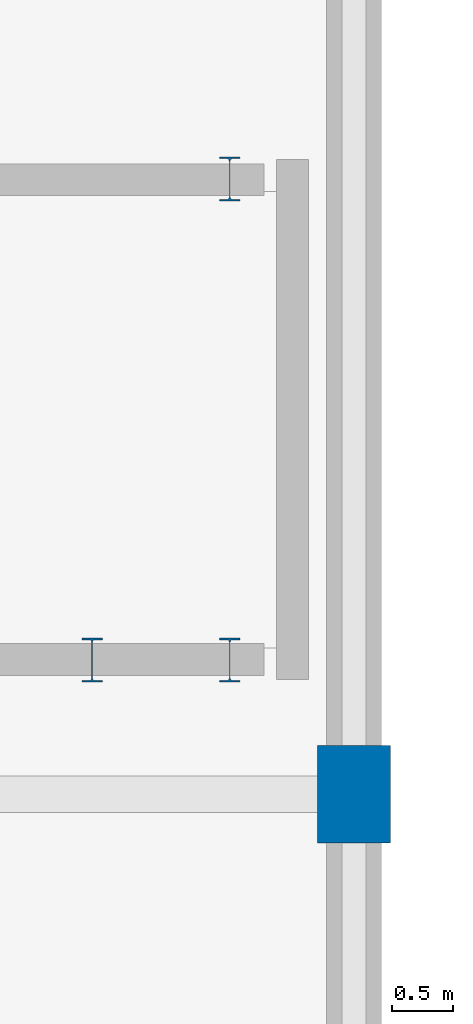
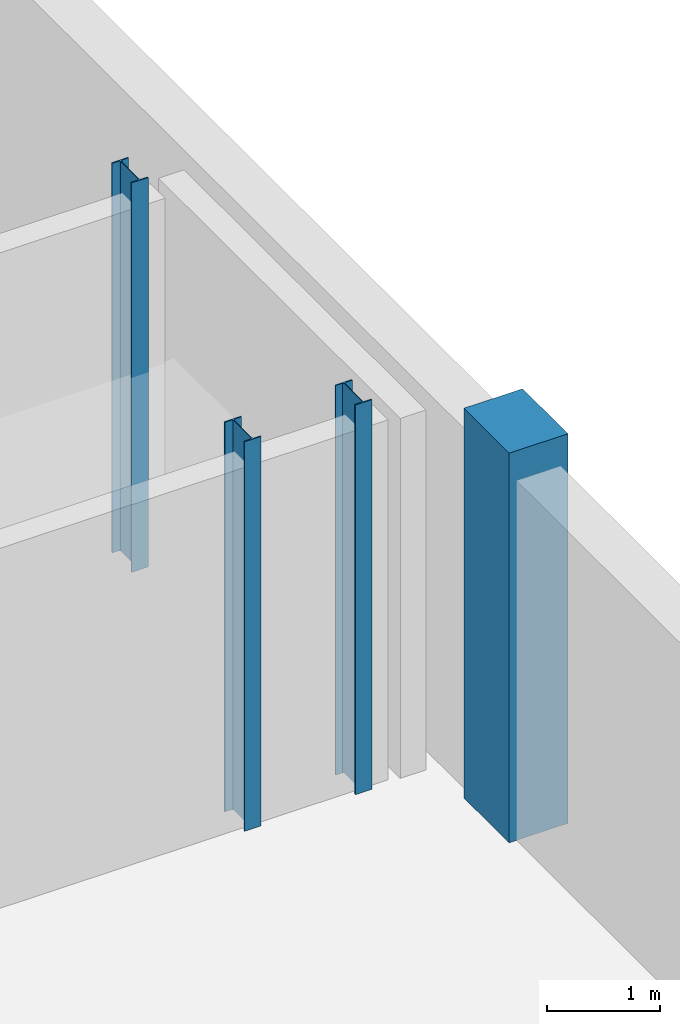
# One storey, part 15 of 47: 4 columns.
"""IFC4 building model written with IfcOpenShell, lengths in metres."""

from ifc_helpers import new_model, si_unit, direction, frame, origin, origin_2d, place, context, subcontext, project, spatial, rectangle, i_section, extrude, material, material_profile, profile_set, type_object, element, save


model = new_model("IFC4")

# Units and contexts
model_context = context("Model", 3, precision=1e-05, world=origin(), true_north=direction((0.0, 1.0)))
body_context = subcontext(model_context, "Body", "Model", "MODEL_VIEW")
ifc_project = project(units=[si_unit("LENGTHUNIT", "METRE"), si_unit("AREAUNIT", "SQUARE_METRE"), si_unit("VOLUMEUNIT", "CUBIC_METRE"), si_unit("PLANEANGLEUNIT", "RADIAN"), si_unit("MASSUNIT", "GRAM", prefix="KILO")], contexts=[model_context])

# Site, building, storey
site_placement = place(None, origin())
site = spatial("IfcSite", under=ifc_project, at=site_placement, CompositionType="ELEMENT")
building_placement = place(site_placement, origin())
building = spatial("IfcBuilding", under=site, at=building_placement, Name="Zevrakil Square Congress Hotel", CompositionType="ELEMENT")
storey_placement = place(building_placement, frame((0.0, 0.0, -4.199951171875)))
storey = spatial("IfcBuildingStorey", under=building, at=storey_placement, Name="B1", CompositionType="ELEMENT", Elevation=-4.199951171875)

# Columns
ifc_material_1 = material(Name="Steel S355", Category="steel")
ifc_material_profile_1 = material_profile(ifc_material_1, i_section(OverallWidth=0.169921875, OverallDepth=0.360107421875, WebThickness=0.008056640625, FlangeThickness=0.0126953125, FilletRadius=0.01806640625, at=origin_2d()), Name="IPE 360")
ifc_profile_set_1 = profile_set([ifc_material_profile_1], Name="Steel S355")
column_type_1 = type_object("IfcColumnType", Name="COL-PILASTER-SHS180", PredefinedType="PILASTER", material=ifc_profile_set_1)
for number, where, z_axis, x_axis, name in (
    (1, (115.449951171875, 85.10009765625, 0.0), (0.0, 0.0, 1.0), (1.0, 0.0, 0.0), "B1 ST06 stair shaft post 1"),
    (2, (116.580078125, 85.10009765625, 0.0), (0.0, 0.0, 1.0), (1.0, 0.0, 0.0), "B1 ST06 stair shaft post 2"),
    (3, (116.580078125, 89.050048828125, 0.0), (0.0, 0.0, 1.0), (1.0, 0.0, 0.0), "B1 ST06 stair shaft post 3"),
):
    element("IfcColumn", number, at=place(storey_placement, frame(where, z_axis=z_axis, x_axis=x_axis)), inside=storey, type_object=column_type_1, Name=name, PredefinedType="PILASTER", context=body_context, shape_type="SweptSolid", body=[
        extrude(i_section(OverallWidth=0.169921875, OverallDepth=0.360107421875, WebThickness=0.008056640625, FlangeThickness=0.0126953125, FilletRadius=0.01806640625, at=origin_2d()), origin(), (0.0, 0.0, 1.0), 4.199951171875),
    ])
ifc_material_2 = material(Name="Concrete C40/50", Category="concrete")
ifc_material_profile_2 = material_profile(ifc_material_2, rectangle(XDim=0.60009765625, YDim=0.800048828125, at=origin_2d()), Name="RC 600x800")
ifc_profile_set_2 = profile_set([ifc_material_profile_2], Name="Concrete C40/50")
column_type_2 = type_object("IfcColumnType", Name="COL-RC600x800", PredefinedType="COLUMN", material=ifc_profile_set_2)
column_placement = place(storey_placement, frame((117.60009765625, 84.0, 0.0), z_axis=(0.0, 0.0, 1.0), x_axis=(1.0, 0.0, 0.0)))
element("IfcColumn", 4, at=column_placement, inside=storey, type_object=column_type_2, Name="B1 column C-190", PredefinedType="COLUMN", context=body_context, shape_type="SweptSolid", body=[
    extrude(rectangle(XDim=0.60009765625, YDim=0.800048828125, at=origin_2d()), origin(), (0.0, 0.0, 1.0), 4.199951171875),
])

save(model, "model.ifc")
